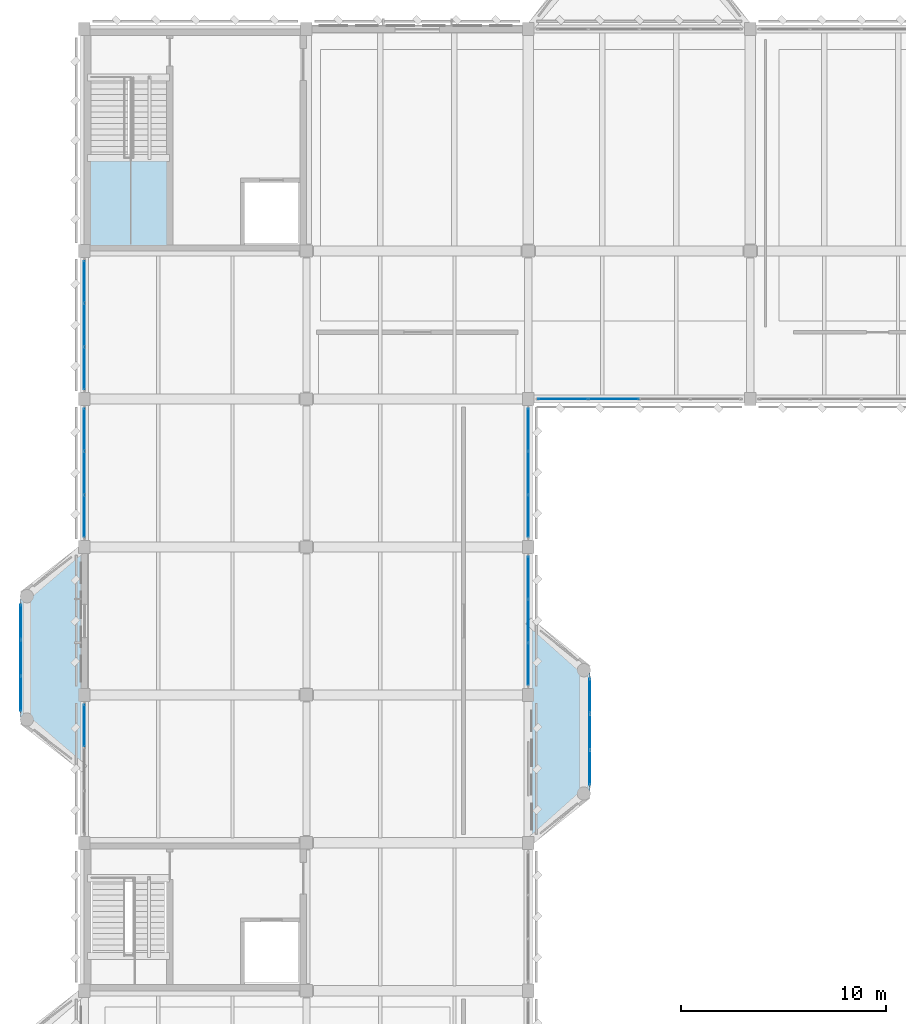
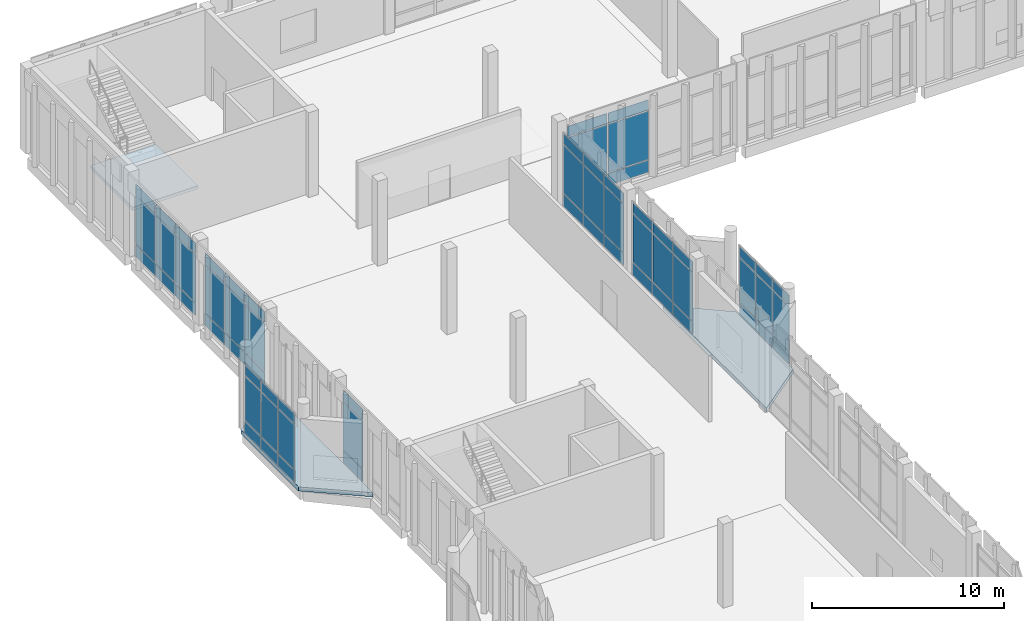
# One storey, part 144 of 180: 63 plates, 3 slabs, 9 elements without a shape of their own.
"""IFC4 building model written with IfcOpenShell, lengths in metres."""

from ifc_helpers import new_model, si_unit, direction, frame, origin, origin_2d, place, context, subcontext, project, spatial, polyline, rectangle, outline, extrude, material, layer, layer_set, type_object, element, aggregate, save


model = new_model("IFC4")

# Units and contexts
model_context = context("Model", 3, precision=1e-05, world=origin(), true_north=direction((0.0, 1.0)))
body_context = subcontext(model_context, "Body", "Model", "MODEL_VIEW")
ifc_project = project(units=[si_unit("LENGTHUNIT", "METRE"), si_unit("AREAUNIT", "SQUARE_METRE"), si_unit("VOLUMEUNIT", "CUBIC_METRE"), si_unit("PLANEANGLEUNIT", "RADIAN"), si_unit("MASSUNIT", "GRAM", prefix="KILO")], contexts=[model_context])

# Site, building, storey
site_placement = place(None, origin())
site = spatial("IfcSite", under=ifc_project, at=site_placement, CompositionType="ELEMENT")
building_placement = place(site_placement, origin())
building = spatial("IfcBuilding", under=site, at=building_placement, Name="Lusvemor Sports Hall", CompositionType="ELEMENT")
storey_placement = place(building_placement, frame((0.0, 0.0, 5.39990234375)))
storey = spatial("IfcBuildingStorey", under=building, at=storey_placement, Name="L01", CompositionType="ELEMENT", Elevation=5.39990234375)

# Curtain wall, plates
ifc_material_1 = material(Name="Thermally broken bronze-anodized aluminium", Category="aluminium")
curtain_wall_type_1 = type_object("IfcCurtainWallType", Name="CW_WING_B", PredefinedType="NOTDEFINED", material=ifc_material_1)
curtain_wall_1_placement = place(storey_placement, origin())
curtain_wall_1 = element("IfcCurtainWall", 1, at=curtain_wall_1_placement, inside=storey, type_object=curtain_wall_type_1, Name="Curtain Wall CW-L01-W-0-4", PredefinedType="NOTDEFINED")
ifc_material_2 = material(Name="Solar-control laminated double glazing", Category="glass")
ifc_layer_1 = layer(ifc_material_2, 0.028076171875)
ifc_layer_set_1 = layer_set([ifc_layer_1], Name="Solar-control laminated double glazing")
plate_type_1 = type_object("IfcPlateType", Name="CW_PAN_GLZ_28", PredefinedType="CURTAIN_PANEL", material=ifc_layer_set_1)
plate_1_placement = place(storey_placement, frame((0.0, 81.3037109375, 0.880126953125), z_axis=(0.0, 0.0, 1.0), x_axis=(0.0, 1.0, 0.0)))
plate_1 = element("IfcPlate", 2, at=plate_1_placement, type_object=plate_type_1, Name="CW02 panel 3.2", PredefinedType="CURTAIN_PANEL", context=body_context, shape_type="SweptSolid", body=[
    extrude(rectangle(XDim=2.0224609375, YDim=0.028076171875, at=origin_2d()), origin(), (0.0, 0.0, 1.0), 3.06005859375),
])
plate_2_placement = place(storey_placement, frame((0.0, 81.3037109375, 4.0), z_axis=(0.0, 0.0, 1.0), x_axis=(0.0, 1.0, 0.0)))
plate_2 = element("IfcPlate", 3, at=plate_2_placement, type_object=plate_type_1, Name="CW02 panel 3.3", PredefinedType="CURTAIN_PANEL", context=body_context, shape_type="SweptSolid", body=[
    extrude(rectangle(XDim=2.0224609375, YDim=0.028076171875, at=origin_2d()), origin(), (0.0, 0.0, 1.0), 0.659912109375),
])

curtain_wall_2_placement = place(storey_placement, origin())
curtain_wall_2 = element("IfcCurtainWall", 4, at=curtain_wall_2_placement, inside=storey, type_object=curtain_wall_type_1, Name="Curtain Wall CW-L01-W-0-6", PredefinedType="NOTDEFINED")
plate_3_placement = place(storey_placement, frame((0.0, 91.496337890625, 0.880126953125), z_axis=(0.0, 0.0, 1.0), x_axis=(0.0, 1.0, 0.0)))
plate_3 = element("IfcPlate", 5, at=plate_3_placement, type_object=plate_type_1, Name="CW02 panel 1.2", PredefinedType="CURTAIN_PANEL", context=body_context, shape_type="SweptSolid", body=[
    extrude(rectangle(XDim=2.0224609375, YDim=0.028076171875, at=origin_2d()), origin(), (0.0, 0.0, 1.0), 3.06005859375),
])
plate_4_placement = place(storey_placement, frame((0.0, 91.496337890625, 4.0), z_axis=(0.0, 0.0, 1.0), x_axis=(0.0, 1.0, 0.0)))
plate_4 = element("IfcPlate", 6, at=plate_4_placement, type_object=plate_type_1, Name="CW02 panel 1.3", PredefinedType="CURTAIN_PANEL", context=body_context, shape_type="SweptSolid", body=[
    extrude(rectangle(XDim=2.0224609375, YDim=0.028076171875, at=origin_2d()), origin(), (0.0, 0.0, 1.0), 0.659912109375),
])
plate_5_placement = place(storey_placement, frame((0.0, 93.60009765625, 0.880126953125), z_axis=(0.0, 0.0, 1.0), x_axis=(0.0, 1.0, 0.0)))
plate_5 = element("IfcPlate", 7, at=plate_5_placement, type_object=plate_type_1, Name="CW02 panel 2.2", PredefinedType="CURTAIN_PANEL", context=body_context, shape_type="SweptSolid", body=[
    extrude(rectangle(XDim=2.054931640625, YDim=0.028076171875, at=origin_2d()), origin(), (0.0, 0.0, 1.0), 3.06005859375),
])
plate_6_placement = place(storey_placement, frame((0.0, 93.60009765625, 4.0), z_axis=(0.0, 0.0, 1.0), x_axis=(0.0, 1.0, 0.0)))
plate_6 = element("IfcPlate", 8, at=plate_6_placement, type_object=plate_type_1, Name="CW02 panel 2.3", PredefinedType="CURTAIN_PANEL", context=body_context, shape_type="SweptSolid", body=[
    extrude(rectangle(XDim=2.054931640625, YDim=0.028076171875, at=origin_2d()), origin(), (0.0, 0.0, 1.0), 0.659912109375),
])
plate_7_placement = place(storey_placement, frame((0.0, 95.703857421875, 0.880126953125), z_axis=(0.0, 0.0, 1.0), x_axis=(0.0, 1.0, 0.0)))
plate_7 = element("IfcPlate", 9, at=plate_7_placement, type_object=plate_type_1, Name="CW02 panel 3.2", PredefinedType="CURTAIN_PANEL", context=body_context, shape_type="SweptSolid", body=[
    extrude(rectangle(XDim=2.0224609375, YDim=0.028076171875, at=origin_2d()), origin(), (0.0, 0.0, 1.0), 3.06005859375),
])
plate_8_placement = place(storey_placement, frame((0.0, 95.703857421875, 4.0), z_axis=(0.0, 0.0, 1.0), x_axis=(0.0, 1.0, 0.0)))
plate_8 = element("IfcPlate", 10, at=plate_8_placement, type_object=plate_type_1, Name="CW02 panel 3.3", PredefinedType="CURTAIN_PANEL", context=body_context, shape_type="SweptSolid", body=[
    extrude(rectangle(XDim=2.0224609375, YDim=0.028076171875, at=origin_2d()), origin(), (0.0, 0.0, 1.0), 0.659912109375),
])

curtain_wall_3_placement = place(storey_placement, origin())
curtain_wall_3 = element("IfcCurtainWall", 11, at=curtain_wall_3_placement, inside=storey, type_object=curtain_wall_type_1, Name="Curtain Wall CW-L01-W-0-7", PredefinedType="NOTDEFINED")
plate_9_placement = place(storey_placement, frame((0.0, 98.6962890625, 0.880126953125), z_axis=(0.0, 0.0, 1.0), x_axis=(0.0, 1.0, 0.0)))
plate_9 = element("IfcPlate", 12, at=plate_9_placement, type_object=plate_type_1, Name="CW02 panel 1.2", PredefinedType="CURTAIN_PANEL", context=body_context, shape_type="SweptSolid", body=[
    extrude(rectangle(XDim=2.0224609375, YDim=0.028076171875, at=origin_2d()), origin(), (0.0, 0.0, 1.0), 3.06005859375),
])
plate_10_placement = place(storey_placement, frame((0.0, 98.6962890625, 4.0), z_axis=(0.0, 0.0, 1.0), x_axis=(0.0, 1.0, 0.0)))
plate_10 = element("IfcPlate", 13, at=plate_10_placement, type_object=plate_type_1, Name="CW02 panel 1.3", PredefinedType="CURTAIN_PANEL", context=body_context, shape_type="SweptSolid", body=[
    extrude(rectangle(XDim=2.0224609375, YDim=0.028076171875, at=origin_2d()), origin(), (0.0, 0.0, 1.0), 0.659912109375),
])
plate_11_placement = place(storey_placement, frame((0.0, 100.800048828125, 0.880126953125), z_axis=(0.0, 0.0, 1.0), x_axis=(0.0, 1.0, 0.0)))
plate_11 = element("IfcPlate", 14, at=plate_11_placement, type_object=plate_type_1, Name="CW02 panel 2.2", PredefinedType="CURTAIN_PANEL", context=body_context, shape_type="SweptSolid", body=[
    extrude(rectangle(XDim=2.054931640625, YDim=0.028076171875, at=origin_2d()), origin(), (0.0, 0.0, 1.0), 3.06005859375),
])
plate_12_placement = place(storey_placement, frame((0.0, 100.800048828125, 4.0), z_axis=(0.0, 0.0, 1.0), x_axis=(0.0, 1.0, 0.0)))
plate_12 = element("IfcPlate", 15, at=plate_12_placement, type_object=plate_type_1, Name="CW02 panel 2.3", PredefinedType="CURTAIN_PANEL", context=body_context, shape_type="SweptSolid", body=[
    extrude(rectangle(XDim=2.054931640625, YDim=0.028076171875, at=origin_2d()), origin(), (0.0, 0.0, 1.0), 0.659912109375),
])
plate_13_placement = place(storey_placement, frame((0.0, 102.90380859375, 0.880126953125), z_axis=(0.0, 0.0, 1.0), x_axis=(0.0, 1.0, 0.0)))
plate_13 = element("IfcPlate", 16, at=plate_13_placement, type_object=plate_type_1, Name="CW02 panel 3.2", PredefinedType="CURTAIN_PANEL", context=body_context, shape_type="SweptSolid", body=[
    extrude(rectangle(XDim=2.0224609375, YDim=0.028076171875, at=origin_2d()), origin(), (0.0, 0.0, 1.0), 3.06005859375),
])
plate_14_placement = place(storey_placement, frame((0.0, 102.90380859375, 4.0), z_axis=(0.0, 0.0, 1.0), x_axis=(0.0, 1.0, 0.0)))
plate_14 = element("IfcPlate", 17, at=plate_14_placement, type_object=plate_type_1, Name="CW02 panel 3.3", PredefinedType="CURTAIN_PANEL", context=body_context, shape_type="SweptSolid", body=[
    extrude(rectangle(XDim=2.0224609375, YDim=0.028076171875, at=origin_2d()), origin(), (0.0, 0.0, 1.0), 0.659912109375),
])

curtain_wall_4_placement = place(storey_placement, origin())
curtain_wall_4 = element("IfcCurtainWall", 18, at=curtain_wall_4_placement, inside=storey, type_object=curtain_wall_type_1, Name="Curtain Wall CW-L01-S-3-0", PredefinedType="NOTDEFINED")
plate_15_placement = place(storey_placement, frame((25.7548828125, 97.199951171875, 0.880126953125), z_axis=(0.0, 0.0, 1.0), x_axis=(-1.0, 0.0, 0.0)))
plate_15 = element("IfcPlate", 19, at=plate_15_placement, type_object=plate_type_1, Name="CW02 panel 3.2", PredefinedType="CURTAIN_PANEL", context=body_context, shape_type="SweptSolid", body=[
    extrude(rectangle(XDim=2.425048828125, YDim=0.028076171875, at=origin_2d()), origin(), (0.0, 0.0, 1.0), 3.06005859375),
])
plate_16_placement = place(storey_placement, frame((25.7548828125, 97.199951171875, 4.0), z_axis=(0.0, 0.0, 1.0), x_axis=(-1.0, 0.0, 0.0)))
plate_16 = element("IfcPlate", 20, at=plate_16_placement, type_object=plate_type_1, Name="CW02 panel 3.3", PredefinedType="CURTAIN_PANEL", context=body_context, shape_type="SweptSolid", body=[
    extrude(rectangle(XDim=2.425048828125, YDim=0.028076171875, at=origin_2d()), origin(), (0.0, 0.0, 1.0), 0.659912109375),
])
plate_17_placement = place(storey_placement, frame((23.28125, 97.199951171875, 0.880126953125), z_axis=(0.0, 0.0, 1.0), x_axis=(-1.0, 0.0, 0.0)))
plate_17 = element("IfcPlate", 21, at=plate_17_placement, type_object=plate_type_1, Name="CW02 panel 4.2", PredefinedType="CURTAIN_PANEL", context=body_context, shape_type="SweptSolid", body=[
    extrude(rectangle(XDim=2.392578125, YDim=0.028076171875, at=origin_2d()), origin(), (0.0, 0.0, 1.0), 3.06005859375),
])
plate_18_placement = place(storey_placement, frame((23.28125, 97.199951171875, 4.0), z_axis=(0.0, 0.0, 1.0), x_axis=(-1.0, 0.0, 0.0)))
plate_18 = element("IfcPlate", 22, at=plate_18_placement, type_object=plate_type_1, Name="CW02 panel 4.3", PredefinedType="CURTAIN_PANEL", context=body_context, shape_type="SweptSolid", body=[
    extrude(rectangle(XDim=2.392578125, YDim=0.028076171875, at=origin_2d()), origin(), (0.0, 0.0, 1.0), 0.659912109375),
])

curtain_wall_5_placement = place(storey_placement, origin())
curtain_wall_5 = element("IfcCurtainWall", 23, at=curtain_wall_5_placement, inside=storey, type_object=curtain_wall_type_1, Name="Curtain Wall CW-L01-E-4-5", PredefinedType="NOTDEFINED")
plate_19_placement = place(storey_placement, frame((21.60009765625, 88.503662109375, 0.880126953125), z_axis=(0.0, 0.0, 1.0), x_axis=(0.0, -1.0, 0.0)))
plate_19 = element("IfcPlate", 24, at=plate_19_placement, type_object=plate_type_1, Name="CW02 panel 1.2", PredefinedType="CURTAIN_PANEL", context=body_context, shape_type="SweptSolid", body=[
    extrude(rectangle(XDim=2.0224609375, YDim=0.028076171875, at=origin_2d()), origin(), (0.0, 0.0, 1.0), 3.06005859375),
])
plate_20_placement = place(storey_placement, frame((21.60009765625, 88.503662109375, 4.0), z_axis=(0.0, 0.0, 1.0), x_axis=(0.0, -1.0, 0.0)))
plate_20 = element("IfcPlate", 25, at=plate_20_placement, type_object=plate_type_1, Name="CW02 panel 1.3", PredefinedType="CURTAIN_PANEL", context=body_context, shape_type="SweptSolid", body=[
    extrude(rectangle(XDim=2.0224609375, YDim=0.028076171875, at=origin_2d()), origin(), (0.0, 0.0, 1.0), 0.659912109375),
])
plate_21_placement = place(storey_placement, frame((21.60009765625, 86.39990234375, 0.880126953125), z_axis=(0.0, 0.0, 1.0), x_axis=(0.0, -1.0, 0.0)))
plate_21 = element("IfcPlate", 26, at=plate_21_placement, type_object=plate_type_1, Name="CW02 panel 2.2", PredefinedType="CURTAIN_PANEL", context=body_context, shape_type="SweptSolid", body=[
    extrude(rectangle(XDim=2.054931640625, YDim=0.028076171875, at=origin_2d()), origin(), (0.0, 0.0, 1.0), 3.06005859375),
])
plate_22_placement = place(storey_placement, frame((21.60009765625, 86.39990234375, 4.0), z_axis=(0.0, 0.0, 1.0), x_axis=(0.0, -1.0, 0.0)))
plate_22 = element("IfcPlate", 27, at=plate_22_placement, type_object=plate_type_1, Name="CW02 panel 2.3", PredefinedType="CURTAIN_PANEL", context=body_context, shape_type="SweptSolid", body=[
    extrude(rectangle(XDim=2.054931640625, YDim=0.028076171875, at=origin_2d()), origin(), (0.0, 0.0, 1.0), 0.659912109375),
])
plate_23_placement = place(storey_placement, frame((21.60009765625, 84.296142578125, 0.880126953125), z_axis=(0.0, 0.0, 1.0), x_axis=(0.0, -1.0, 0.0)))
plate_23 = element("IfcPlate", 28, at=plate_23_placement, type_object=plate_type_1, Name="CW02 panel 3.2", PredefinedType="CURTAIN_PANEL", context=body_context, shape_type="SweptSolid", body=[
    extrude(rectangle(XDim=2.0224609375, YDim=0.028076171875, at=origin_2d()), origin(), (0.0, 0.0, 1.0), 3.06005859375),
])
plate_24_placement = place(storey_placement, frame((21.60009765625, 84.296142578125, 4.0), z_axis=(0.0, 0.0, 1.0), x_axis=(0.0, -1.0, 0.0)))
plate_24 = element("IfcPlate", 29, at=plate_24_placement, type_object=plate_type_1, Name="CW02 panel 3.3", PredefinedType="CURTAIN_PANEL", context=body_context, shape_type="SweptSolid", body=[
    extrude(rectangle(XDim=2.0224609375, YDim=0.028076171875, at=origin_2d()), origin(), (0.0, 0.0, 1.0), 0.659912109375),
])

curtain_wall_6_placement = place(storey_placement, origin())
curtain_wall_6 = element("IfcCurtainWall", 30, at=curtain_wall_6_placement, inside=storey, type_object=curtain_wall_type_1, Name="Curtain Wall CW-L01-E-4-6", PredefinedType="NOTDEFINED")
plate_25_placement = place(storey_placement, frame((21.60009765625, 95.703857421875, 0.880126953125), z_axis=(0.0, 0.0, 1.0), x_axis=(0.0, -1.0, 0.0)))
plate_25 = element("IfcPlate", 31, at=plate_25_placement, type_object=plate_type_1, Name="CW02 panel 1.2", PredefinedType="CURTAIN_PANEL", context=body_context, shape_type="SweptSolid", body=[
    extrude(rectangle(XDim=2.0224609375, YDim=0.028076171875, at=origin_2d()), origin(), (0.0, 0.0, 1.0), 3.06005859375),
])
plate_26_placement = place(storey_placement, frame((21.60009765625, 95.703857421875, 4.0), z_axis=(0.0, 0.0, 1.0), x_axis=(0.0, -1.0, 0.0)))
plate_26 = element("IfcPlate", 32, at=plate_26_placement, type_object=plate_type_1, Name="CW02 panel 1.3", PredefinedType="CURTAIN_PANEL", context=body_context, shape_type="SweptSolid", body=[
    extrude(rectangle(XDim=2.0224609375, YDim=0.028076171875, at=origin_2d()), origin(), (0.0, 0.0, 1.0), 0.659912109375),
])
plate_27_placement = place(storey_placement, frame((21.60009765625, 93.60009765625, 0.880126953125), z_axis=(0.0, 0.0, 1.0), x_axis=(0.0, -1.0, 0.0)))
plate_27 = element("IfcPlate", 33, at=plate_27_placement, type_object=plate_type_1, Name="CW02 panel 2.2", PredefinedType="CURTAIN_PANEL", context=body_context, shape_type="SweptSolid", body=[
    extrude(rectangle(XDim=2.054931640625, YDim=0.028076171875, at=origin_2d()), origin(), (0.0, 0.0, 1.0), 3.06005859375),
])
plate_28_placement = place(storey_placement, frame((21.60009765625, 93.60009765625, 4.0), z_axis=(0.0, 0.0, 1.0), x_axis=(0.0, -1.0, 0.0)))
plate_28 = element("IfcPlate", 34, at=plate_28_placement, type_object=plate_type_1, Name="CW02 panel 2.3", PredefinedType="CURTAIN_PANEL", context=body_context, shape_type="SweptSolid", body=[
    extrude(rectangle(XDim=2.054931640625, YDim=0.028076171875, at=origin_2d()), origin(), (0.0, 0.0, 1.0), 0.659912109375),
])
plate_29_placement = place(storey_placement, frame((21.60009765625, 91.496337890625, 0.880126953125), z_axis=(0.0, 0.0, 1.0), x_axis=(0.0, -1.0, 0.0)))
plate_29 = element("IfcPlate", 35, at=plate_29_placement, type_object=plate_type_1, Name="CW02 panel 3.2", PredefinedType="CURTAIN_PANEL", context=body_context, shape_type="SweptSolid", body=[
    extrude(rectangle(XDim=2.0224609375, YDim=0.028076171875, at=origin_2d()), origin(), (0.0, 0.0, 1.0), 3.06005859375),
])
plate_30_placement = place(storey_placement, frame((21.60009765625, 91.496337890625, 4.0), z_axis=(0.0, 0.0, 1.0), x_axis=(0.0, -1.0, 0.0)))
plate_30 = element("IfcPlate", 36, at=plate_30_placement, type_object=plate_type_1, Name="CW02 panel 3.3", PredefinedType="CURTAIN_PANEL", context=body_context, shape_type="SweptSolid", body=[
    extrude(rectangle(XDim=2.0224609375, YDim=0.028076171875, at=origin_2d()), origin(), (0.0, 0.0, 1.0), 0.659912109375),
])

ifc_material_3 = material(Name="Thermally broken bronze-anodized aluminium", Category="aluminium")
curtain_wall_type_2 = type_object("IfcCurtainWallType", Name="CW_FOYER_A", PredefinedType="NOTDEFINED", material=ifc_material_3)
curtain_wall_7_placement = place(storey_placement, origin())
curtain_wall_7 = element("IfcCurtainWall", 37, at=curtain_wall_7_placement, inside=storey, type_object=curtain_wall_type_2, Name="Curtain Wall CW-BOW-W2-L01-M", PredefinedType="NOTDEFINED")
plate_31_placement = place(storey_placement, frame((-3.10009765625, 82.850830078125, 0.882568359375), z_axis=(0.0, 0.0, 1.0), x_axis=(0.0, 1.0, 0.0)))
plate_31 = element("IfcPlate", 38, at=plate_31_placement, type_object=plate_type_1, Name="CW01 panel 1.2", PredefinedType="CURTAIN_PANEL", context=body_context, shape_type="SweptSolid", body=[
    extrude(rectangle(XDim=1.66162109375, YDim=0.028076171875, at=origin_2d()), origin(), (0.0, 0.0, 1.0), 2.81494140625),
])
plate_32_placement = place(storey_placement, frame((-3.10009765625, 82.850830078125, 3.7626953125), z_axis=(0.0, 0.0, 1.0), x_axis=(0.0, 1.0, 0.0)))
plate_32 = element("IfcPlate", 39, at=plate_32_placement, type_object=plate_type_1, Name="CW01 panel 1.3", PredefinedType="CURTAIN_PANEL", context=body_context, shape_type="SweptSolid", body=[
    extrude(rectangle(XDim=1.66162109375, YDim=0.028076171875, at=origin_2d()), origin(), (0.0, 0.0, 1.0), 0.652587890625),
])
plate_33_placement = place(storey_placement, frame((-3.10009765625, 84.60009765625, 0.882568359375), z_axis=(0.0, 0.0, 1.0), x_axis=(0.0, 1.0, 0.0)))
plate_33 = element("IfcPlate", 40, at=plate_33_placement, type_object=plate_type_1, Name="CW01 panel 2.2", PredefinedType="CURTAIN_PANEL", context=body_context, shape_type="SweptSolid", body=[
    extrude(rectangle(XDim=1.69677734375, YDim=0.028076171875, at=origin_2d()), origin(), (0.0, 0.0, 1.0), 2.81494140625),
])
plate_34_placement = place(storey_placement, frame((-3.10009765625, 84.60009765625, 3.7626953125), z_axis=(0.0, 0.0, 1.0), x_axis=(0.0, 1.0, 0.0)))
plate_34 = element("IfcPlate", 41, at=plate_34_placement, type_object=plate_type_1, Name="CW01 panel 2.3", PredefinedType="CURTAIN_PANEL", context=body_context, shape_type="SweptSolid", body=[
    extrude(rectangle(XDim=1.69677734375, YDim=0.028076171875, at=origin_2d()), origin(), (0.0, 0.0, 1.0), 0.652587890625),
])
plate_35_placement = place(storey_placement, frame((-3.10009765625, 86.34912109375, 0.882568359375), z_axis=(0.0, 0.0, 1.0), x_axis=(0.0, 1.0, 0.0)))
plate_35 = element("IfcPlate", 42, at=plate_35_placement, type_object=plate_type_1, Name="CW01 panel 3.2", PredefinedType="CURTAIN_PANEL", context=body_context, shape_type="SweptSolid", body=[
    extrude(rectangle(XDim=1.66162109375, YDim=0.028076171875, at=origin_2d()), origin(), (0.0, 0.0, 1.0), 2.81494140625),
])
plate_36_placement = place(storey_placement, frame((-3.10009765625, 86.34912109375, 3.7626953125), z_axis=(0.0, 0.0, 1.0), x_axis=(0.0, 1.0, 0.0)))
plate_36 = element("IfcPlate", 43, at=plate_36_placement, type_object=plate_type_1, Name="CW01 panel 3.3", PredefinedType="CURTAIN_PANEL", context=body_context, shape_type="SweptSolid", body=[
    extrude(rectangle(XDim=1.66162109375, YDim=0.028076171875, at=origin_2d()), origin(), (0.0, 0.0, 1.0), 0.652587890625),
])

curtain_wall_8_placement = place(storey_placement, origin())
curtain_wall_8 = element("IfcCurtainWall", 44, at=curtain_wall_8_placement, inside=storey, type_object=curtain_wall_type_2, Name="Curtain Wall CW-BOW-CT-L01-M", PredefinedType="NOTDEFINED")
plate_37_placement = place(storey_placement, frame((24.60009765625, 82.749267578125, 0.882568359375), z_axis=(0.0, 0.0, 1.0), x_axis=(0.0, -1.0, 0.0)))
plate_37 = element("IfcPlate", 45, at=plate_37_placement, type_object=plate_type_1, Name="CW01 panel 1.2", PredefinedType="CURTAIN_PANEL", context=body_context, shape_type="SweptSolid", body=[
    extrude(rectangle(XDim=1.66162109375, YDim=0.028076171875, at=origin_2d()), origin(), (0.0, 0.0, 1.0), 2.81494140625),
])
plate_38_placement = place(storey_placement, frame((24.60009765625, 82.749267578125, 3.7626953125), z_axis=(0.0, 0.0, 1.0), x_axis=(0.0, -1.0, 0.0)))
plate_38 = element("IfcPlate", 46, at=plate_38_placement, type_object=plate_type_1, Name="CW01 panel 1.3", PredefinedType="CURTAIN_PANEL", context=body_context, shape_type="SweptSolid", body=[
    extrude(rectangle(XDim=1.66162109375, YDim=0.028076171875, at=origin_2d()), origin(), (0.0, 0.0, 1.0), 0.652587890625),
])
plate_39_placement = place(storey_placement, frame((24.60009765625, 81.0, 0.882568359375), z_axis=(0.0, 0.0, 1.0), x_axis=(0.0, -1.0, 0.0)))
plate_39 = element("IfcPlate", 47, at=plate_39_placement, type_object=plate_type_1, Name="CW01 panel 2.2", PredefinedType="CURTAIN_PANEL", context=body_context, shape_type="SweptSolid", body=[
    extrude(rectangle(XDim=1.69677734375, YDim=0.028076171875, at=origin_2d()), origin(), (0.0, 0.0, 1.0), 2.81494140625),
])
plate_40_placement = place(storey_placement, frame((24.60009765625, 81.0, 3.7626953125), z_axis=(0.0, 0.0, 1.0), x_axis=(0.0, -1.0, 0.0)))
plate_40 = element("IfcPlate", 48, at=plate_40_placement, type_object=plate_type_1, Name="CW01 panel 2.3", PredefinedType="CURTAIN_PANEL", context=body_context, shape_type="SweptSolid", body=[
    extrude(rectangle(XDim=1.69677734375, YDim=0.028076171875, at=origin_2d()), origin(), (0.0, 0.0, 1.0), 0.652587890625),
])
plate_41_placement = place(storey_placement, frame((24.60009765625, 79.250732421875, 0.882568359375), z_axis=(0.0, 0.0, 1.0), x_axis=(0.0, -1.0, 0.0)))
plate_41 = element("IfcPlate", 49, at=plate_41_placement, type_object=plate_type_1, Name="CW01 panel 3.2", PredefinedType="CURTAIN_PANEL", context=body_context, shape_type="SweptSolid", body=[
    extrude(rectangle(XDim=1.66162109375, YDim=0.028076171875, at=origin_2d()), origin(), (0.0, 0.0, 1.0), 2.81494140625),
])
plate_42_placement = place(storey_placement, frame((24.60009765625, 79.250732421875, 3.7626953125), z_axis=(0.0, 0.0, 1.0), x_axis=(0.0, -1.0, 0.0)))
plate_42 = element("IfcPlate", 50, at=plate_42_placement, type_object=plate_type_1, Name="CW01 panel 3.3", PredefinedType="CURTAIN_PANEL", context=body_context, shape_type="SweptSolid", body=[
    extrude(rectangle(XDim=1.66162109375, YDim=0.028076171875, at=origin_2d()), origin(), (0.0, 0.0, 1.0), 0.652587890625),
])

# Plate
ifc_material_4 = material(Name="Emerald polychrome glazed ceramic cladding on Concrete C40/50 backing", Category="concrete")
ifc_layer_2 = layer(ifc_material_4, 0.048095703125)
ifc_layer_set_2 = layer_set([ifc_layer_2], Name="Emerald polychrome glazed ceramic cladding on Concrete C40/50 backing")
plate_type_2 = type_object("IfcPlateType", Name="CW_PAN_SPN_48", PredefinedType="CURTAIN_PANEL", material=ifc_layer_set_2)
plate_43_placement = place(storey_placement, frame((0.0, 81.3037109375, 0.06005859375), z_axis=(0.0, 0.0, 1.0), x_axis=(0.0, 1.0, 0.0)))
plate_43 = element("IfcPlate", 51, at=plate_43_placement, type_object=plate_type_2, Name="CW02 panel 3.1", PredefinedType="CURTAIN_PANEL", context=body_context, shape_type="SweptSolid", body=[
    extrude(rectangle(XDim=2.0224609375, YDim=0.048095703125, at=origin_2d()), origin(), (0.0, 0.0, 1.0), 0.760009765625),
])

aggregate(curtain_wall_1, [plate_43, plate_1, plate_2])

plate_44_placement = place(storey_placement, frame((0.0, 91.496337890625, 0.06005859375), z_axis=(0.0, 0.0, 1.0), x_axis=(0.0, 1.0, 0.0)))
plate_44 = element("IfcPlate", 52, at=plate_44_placement, type_object=plate_type_2, Name="CW02 panel 1.1", PredefinedType="CURTAIN_PANEL", context=body_context, shape_type="SweptSolid", body=[
    extrude(rectangle(XDim=2.0224609375, YDim=0.048095703125, at=origin_2d()), origin(), (0.0, 0.0, 1.0), 0.760009765625),
])

plate_45_placement = place(storey_placement, frame((0.0, 93.60009765625, 0.06005859375), z_axis=(0.0, 0.0, 1.0), x_axis=(0.0, 1.0, 0.0)))
plate_45 = element("IfcPlate", 53, at=plate_45_placement, type_object=plate_type_2, Name="CW02 panel 2.1", PredefinedType="CURTAIN_PANEL", context=body_context, shape_type="SweptSolid", body=[
    extrude(rectangle(XDim=2.054931640625, YDim=0.048095703125, at=origin_2d()), origin(), (0.0, 0.0, 1.0), 0.760009765625),
])

plate_46_placement = place(storey_placement, frame((0.0, 95.703857421875, 0.06005859375), z_axis=(0.0, 0.0, 1.0), x_axis=(0.0, 1.0, 0.0)))
plate_46 = element("IfcPlate", 54, at=plate_46_placement, type_object=plate_type_2, Name="CW02 panel 3.1", PredefinedType="CURTAIN_PANEL", context=body_context, shape_type="SweptSolid", body=[
    extrude(rectangle(XDim=2.0224609375, YDim=0.048095703125, at=origin_2d()), origin(), (0.0, 0.0, 1.0), 0.760009765625),
])

aggregate(curtain_wall_2, [plate_44, plate_3, plate_4, plate_45, plate_5, plate_6, plate_46, plate_7, plate_8])

plate_47_placement = place(storey_placement, frame((0.0, 98.6962890625, 0.06005859375), z_axis=(0.0, 0.0, 1.0), x_axis=(0.0, 1.0, 0.0)))
plate_47 = element("IfcPlate", 55, at=plate_47_placement, type_object=plate_type_2, Name="CW02 panel 1.1", PredefinedType="CURTAIN_PANEL", context=body_context, shape_type="SweptSolid", body=[
    extrude(rectangle(XDim=2.0224609375, YDim=0.048095703125, at=origin_2d()), origin(), (0.0, 0.0, 1.0), 0.760009765625),
])

plate_48_placement = place(storey_placement, frame((0.0, 100.800048828125, 0.06005859375), z_axis=(0.0, 0.0, 1.0), x_axis=(0.0, 1.0, 0.0)))
plate_48 = element("IfcPlate", 56, at=plate_48_placement, type_object=plate_type_2, Name="CW02 panel 2.1", PredefinedType="CURTAIN_PANEL", context=body_context, shape_type="SweptSolid", body=[
    extrude(rectangle(XDim=2.054931640625, YDim=0.048095703125, at=origin_2d()), origin(), (0.0, 0.0, 1.0), 0.760009765625),
])

plate_49_placement = place(storey_placement, frame((0.0, 102.90380859375, 0.06005859375), z_axis=(0.0, 0.0, 1.0), x_axis=(0.0, 1.0, 0.0)))
plate_49 = element("IfcPlate", 57, at=plate_49_placement, type_object=plate_type_2, Name="CW02 panel 3.1", PredefinedType="CURTAIN_PANEL", context=body_context, shape_type="SweptSolid", body=[
    extrude(rectangle(XDim=2.0224609375, YDim=0.048095703125, at=origin_2d()), origin(), (0.0, 0.0, 1.0), 0.760009765625),
])

aggregate(curtain_wall_3, [plate_47, plate_9, plate_10, plate_48, plate_11, plate_12, plate_49, plate_13, plate_14])

plate_50_placement = place(storey_placement, frame((25.7548828125, 97.199951171875, 0.06005859375), z_axis=(0.0, 0.0, 1.0), x_axis=(-1.0, 0.0, 0.0)))
plate_50 = element("IfcPlate", 58, at=plate_50_placement, type_object=plate_type_2, Name="CW02 panel 3.1", PredefinedType="CURTAIN_PANEL", context=body_context, shape_type="SweptSolid", body=[
    extrude(rectangle(XDim=2.425048828125, YDim=0.048095703125, at=origin_2d()), origin(), (0.0, 0.0, 1.0), 0.760009765625),
])

plate_51_placement = place(storey_placement, frame((23.28125, 97.199951171875, 0.06005859375), z_axis=(0.0, 0.0, 1.0), x_axis=(-1.0, 0.0, 0.0)))
plate_51 = element("IfcPlate", 59, at=plate_51_placement, type_object=plate_type_2, Name="CW02 panel 4.1", PredefinedType="CURTAIN_PANEL", context=body_context, shape_type="SweptSolid", body=[
    extrude(rectangle(XDim=2.392578125, YDim=0.048095703125, at=origin_2d()), origin(), (0.0, 0.0, 1.0), 0.760009765625),
])

aggregate(curtain_wall_4, [plate_50, plate_15, plate_16, plate_51, plate_17, plate_18])

plate_52_placement = place(storey_placement, frame((21.60009765625, 88.503662109375, 0.06005859375), z_axis=(0.0, 0.0, 1.0), x_axis=(0.0, -1.0, 0.0)))
plate_52 = element("IfcPlate", 60, at=plate_52_placement, type_object=plate_type_2, Name="CW02 panel 1.1", PredefinedType="CURTAIN_PANEL", context=body_context, shape_type="SweptSolid", body=[
    extrude(rectangle(XDim=2.0224609375, YDim=0.048095703125, at=origin_2d()), origin(), (0.0, 0.0, 1.0), 0.760009765625),
])

plate_53_placement = place(storey_placement, frame((21.60009765625, 86.39990234375, 0.06005859375), z_axis=(0.0, 0.0, 1.0), x_axis=(0.0, -1.0, 0.0)))
plate_53 = element("IfcPlate", 61, at=plate_53_placement, type_object=plate_type_2, Name="CW02 panel 2.1", PredefinedType="CURTAIN_PANEL", context=body_context, shape_type="SweptSolid", body=[
    extrude(rectangle(XDim=2.054931640625, YDim=0.048095703125, at=origin_2d()), origin(), (0.0, 0.0, 1.0), 0.760009765625),
])

plate_54_placement = place(storey_placement, frame((21.60009765625, 84.296142578125, 0.06005859375), z_axis=(0.0, 0.0, 1.0), x_axis=(0.0, -1.0, 0.0)))
plate_54 = element("IfcPlate", 62, at=plate_54_placement, type_object=plate_type_2, Name="CW02 panel 3.1", PredefinedType="CURTAIN_PANEL", context=body_context, shape_type="SweptSolid", body=[
    extrude(rectangle(XDim=2.0224609375, YDim=0.048095703125, at=origin_2d()), origin(), (0.0, 0.0, 1.0), 0.760009765625),
])

aggregate(curtain_wall_5, [plate_52, plate_19, plate_20, plate_53, plate_21, plate_22, plate_54, plate_23, plate_24])

plate_55_placement = place(storey_placement, frame((21.60009765625, 95.703857421875, 0.06005859375), z_axis=(0.0, 0.0, 1.0), x_axis=(0.0, -1.0, 0.0)))
plate_55 = element("IfcPlate", 63, at=plate_55_placement, type_object=plate_type_2, Name="CW02 panel 1.1", PredefinedType="CURTAIN_PANEL", context=body_context, shape_type="SweptSolid", body=[
    extrude(rectangle(XDim=2.0224609375, YDim=0.048095703125, at=origin_2d()), origin(), (0.0, 0.0, 1.0), 0.760009765625),
])

plate_56_placement = place(storey_placement, frame((21.60009765625, 93.60009765625, 0.06005859375), z_axis=(0.0, 0.0, 1.0), x_axis=(0.0, -1.0, 0.0)))
plate_56 = element("IfcPlate", 64, at=plate_56_placement, type_object=plate_type_2, Name="CW02 panel 2.1", PredefinedType="CURTAIN_PANEL", context=body_context, shape_type="SweptSolid", body=[
    extrude(rectangle(XDim=2.054931640625, YDim=0.048095703125, at=origin_2d()), origin(), (0.0, 0.0, 1.0), 0.760009765625),
])

plate_57_placement = place(storey_placement, frame((21.60009765625, 91.496337890625, 0.06005859375), z_axis=(0.0, 0.0, 1.0), x_axis=(0.0, -1.0, 0.0)))
plate_57 = element("IfcPlate", 65, at=plate_57_placement, type_object=plate_type_2, Name="CW02 panel 3.1", PredefinedType="CURTAIN_PANEL", context=body_context, shape_type="SweptSolid", body=[
    extrude(rectangle(XDim=2.0224609375, YDim=0.048095703125, at=origin_2d()), origin(), (0.0, 0.0, 1.0), 0.760009765625),
])

aggregate(curtain_wall_6, [plate_55, plate_25, plate_26, plate_56, plate_27, plate_28, plate_57, plate_29, plate_30])

plate_58_placement = place(storey_placement, frame((-3.10009765625, 82.850830078125, 0.065185546875), z_axis=(0.0, 0.0, 1.0), x_axis=(0.0, 1.0, 0.0)))
plate_58 = element("IfcPlate", 66, at=plate_58_placement, type_object=plate_type_2, Name="CW01 panel 1.1", PredefinedType="CURTAIN_PANEL", context=body_context, shape_type="SweptSolid", body=[
    extrude(rectangle(XDim=1.66162109375, YDim=0.048095703125, at=origin_2d()), origin(), (0.0, 0.0, 1.0), 0.75244140625),
])

plate_59_placement = place(storey_placement, frame((-3.10009765625, 84.60009765625, 0.065185546875), z_axis=(0.0, 0.0, 1.0), x_axis=(0.0, 1.0, 0.0)))
plate_59 = element("IfcPlate", 67, at=plate_59_placement, type_object=plate_type_2, Name="CW01 panel 2.1", PredefinedType="CURTAIN_PANEL", context=body_context, shape_type="SweptSolid", body=[
    extrude(rectangle(XDim=1.69677734375, YDim=0.048095703125, at=origin_2d()), origin(), (0.0, 0.0, 1.0), 0.75244140625),
])

plate_60_placement = place(storey_placement, frame((-3.10009765625, 86.34912109375, 0.065185546875), z_axis=(0.0, 0.0, 1.0), x_axis=(0.0, 1.0, 0.0)))
plate_60 = element("IfcPlate", 68, at=plate_60_placement, type_object=plate_type_2, Name="CW01 panel 3.1", PredefinedType="CURTAIN_PANEL", context=body_context, shape_type="SweptSolid", body=[
    extrude(rectangle(XDim=1.66162109375, YDim=0.048095703125, at=origin_2d()), origin(), (0.0, 0.0, 1.0), 0.75244140625),
])

aggregate(curtain_wall_7, [plate_58, plate_31, plate_32, plate_59, plate_33, plate_34, plate_60, plate_35, plate_36])

plate_61_placement = place(storey_placement, frame((24.60009765625, 82.749267578125, 0.065185546875), z_axis=(0.0, 0.0, 1.0), x_axis=(0.0, -1.0, 0.0)))
plate_61 = element("IfcPlate", 69, at=plate_61_placement, type_object=plate_type_2, Name="CW01 panel 1.1", PredefinedType="CURTAIN_PANEL", context=body_context, shape_type="SweptSolid", body=[
    extrude(rectangle(XDim=1.66162109375, YDim=0.048095703125, at=origin_2d()), origin(), (0.0, 0.0, 1.0), 0.75244140625),
])

plate_62_placement = place(storey_placement, frame((24.60009765625, 81.0, 0.065185546875), z_axis=(0.0, 0.0, 1.0), x_axis=(0.0, -1.0, 0.0)))
plate_62 = element("IfcPlate", 70, at=plate_62_placement, type_object=plate_type_2, Name="CW01 panel 2.1", PredefinedType="CURTAIN_PANEL", context=body_context, shape_type="SweptSolid", body=[
    extrude(rectangle(XDim=1.69677734375, YDim=0.048095703125, at=origin_2d()), origin(), (0.0, 0.0, 1.0), 0.75244140625),
])

plate_63_placement = place(storey_placement, frame((24.60009765625, 79.250732421875, 0.065185546875), z_axis=(0.0, 0.0, 1.0), x_axis=(0.0, -1.0, 0.0)))
plate_63 = element("IfcPlate", 71, at=plate_63_placement, type_object=plate_type_2, Name="CW01 panel 3.1", PredefinedType="CURTAIN_PANEL", context=body_context, shape_type="SweptSolid", body=[
    extrude(rectangle(XDim=1.66162109375, YDim=0.048095703125, at=origin_2d()), origin(), (0.0, 0.0, 1.0), 0.75244140625),
])

aggregate(curtain_wall_8, [plate_61, plate_37, plate_38, plate_62, plate_39, plate_40, plate_63, plate_41, plate_42])

# Slabs
ifc_material_5 = material(Name="Concrete C40/50", Category="concrete")
ifc_layer_3 = layer(ifc_material_5, 0.260009765625)
ifc_layer_set_3 = layer_set([ifc_layer_3], Name="Concrete C40/50")
slab_type_1 = type_object("IfcSlabType", Name="SLAB_INT_260", PredefinedType="FLOOR", material=ifc_layer_set_3)
slab_1_placement = place(storey_placement, frame((0.0, 0.0, -0.260009765625)))
element("IfcSlab", 72, at=slab_1_placement, inside=storey, type_object=slab_type_1, Name="Bow Pavilion Slab BOW-W2 (L01)", PredefinedType="FLOOR", context=body_context, shape_type="SweptSolid", body=[
    extrude(outline(polyline([(0.0, 79.199951171875), (-3.10009765625, 81.60009765625), (-3.10009765625, 87.60009765625), (0.0, 90.0), (0.0, 79.199951171875)])), origin(), (0.0, 0.0, 1.0), 0.260009765625),
])
slab_2_placement = place(storey_placement, frame((0.0, 0.0, -0.260009765625)))
element("IfcSlab", 73, at=slab_2_placement, inside=storey, type_object=slab_type_1, Name="Bow Pavilion Slab BOW-CT (L01)", PredefinedType="FLOOR", context=body_context, shape_type="SweptSolid", body=[
    extrude(outline(polyline([(21.60009765625, 86.39990234375), (24.60009765625, 84.0), (24.60009765625, 78.0), (21.60009765625, 75.60009765625), (21.60009765625, 86.39990234375)])), origin(), (0.0, 0.0, 1.0), 0.260009765625),
])

# Stair, slab
ifc_material_6 = material(Name="Concrete C40/50", Category="concrete")
stair_type = type_object("IfcStairType", Name="STAIR_CORE_540", PredefinedType="HALF_TURN_STAIR", material=ifc_material_6)
stair_placement = place(storey_placement, origin())
stair = element("IfcStair", 74, at=stair_placement, inside=storey, type_object=stair_type, Name="Escape Stair C1 (L01)", PredefinedType="HALF_TURN_STAIR")
ifc_material_7 = material(Name="Concrete C40/50", Category="concrete")
ifc_layer_4 = layer(ifc_material_7, 0.199951171875)
ifc_layer_set_4 = layer_set([ifc_layer_4], Name="Concrete C40/50")
slab_type_2 = type_object("IfcSlabType", Name="SLAB_LAND_200", PredefinedType="LANDING", material=ifc_layer_set_4)
slab_3_placement = place(storey_placement, frame((0.0, 0.0, 2.5)))
slab_3 = element("IfcSlab", 75, at=slab_3_placement, type_object=slab_type_2, Name="ST01 landing 1", PredefinedType="LANDING", context=body_context, shape_type="SweptSolid", body=[
    extrude(outline(polyline([(0.179931640625, 104.580078125), (4.1201171875, 104.580078125), (4.1201171875, 108.969970703125), (0.179931640625, 108.969970703125), (0.179931640625, 104.580078125)])), origin(), (0.0, 0.0, 1.0), 0.2001953125),
])
aggregate(stair, [slab_3])

save(model, "model.ifc")
